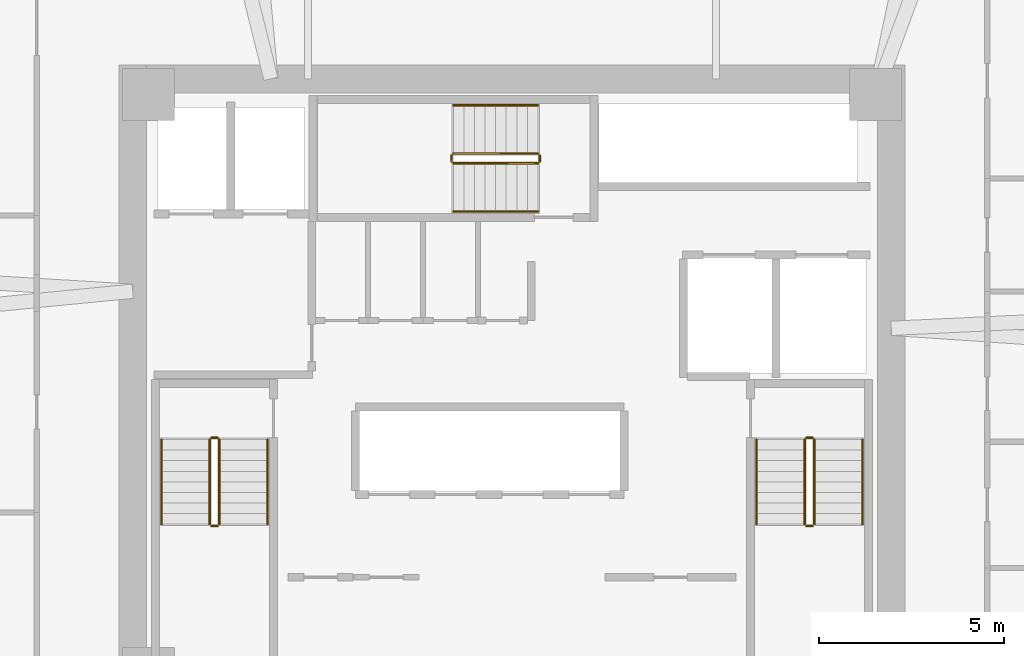
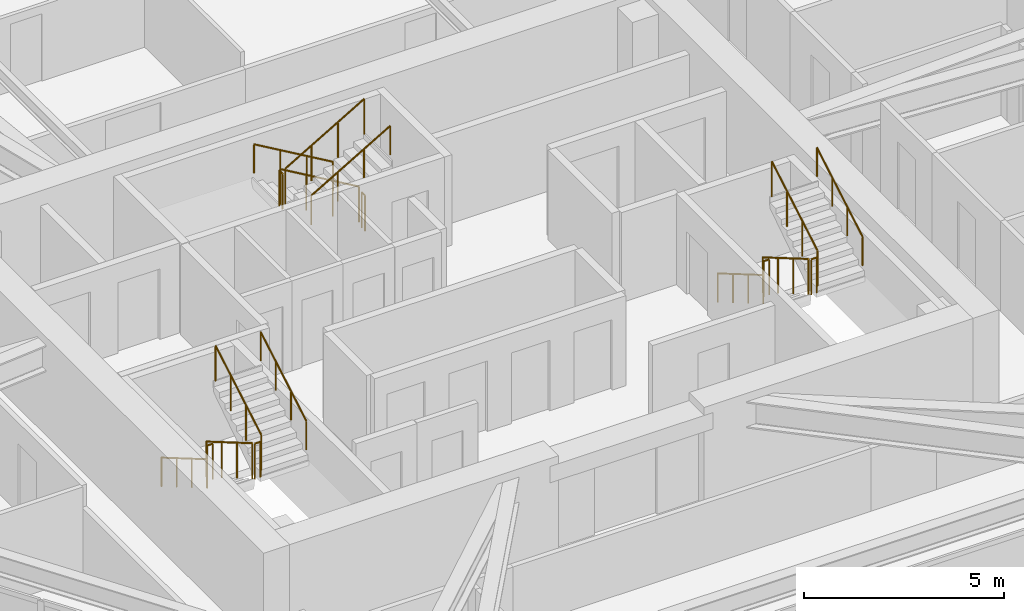
# One storey, part 17 of 17: 18 railings.
"""IFC4 building model written with IfcOpenShell, lengths in metres."""

from ifc_helpers import new_model, si_unit, direction, frame, origin, origin_2d, place, context, subcontext, project, spatial, circle, extrude, material, type_object, element, save


model = new_model("IFC4")

# Units and contexts
model_context = context("Model", 3, precision=1e-05, world=origin(), true_north=direction((0.0, 1.0)))
body_context = subcontext(model_context, "Body", "Model", "MODEL_VIEW")
ifc_project = project(units=[si_unit("LENGTHUNIT", "METRE"), si_unit("AREAUNIT", "SQUARE_METRE"), si_unit("VOLUMEUNIT", "CUBIC_METRE"), si_unit("PLANEANGLEUNIT", "RADIAN"), si_unit("MASSUNIT", "GRAM", prefix="KILO")], contexts=[model_context])

# Site, building, storey
site_placement = place(None, origin())
site = spatial("IfcSite", under=ifc_project, at=site_placement, CompositionType="ELEMENT")
building_placement = place(site_placement, origin())
building = spatial("IfcBuilding", under=site, at=building_placement, Name="Durnholm Broadcast Tower", CompositionType="ELEMENT")
storey_placement = place(building_placement, frame((0.0, 0.0, 137.10009765625)))
storey = spatial("IfcBuildingStorey", under=building, at=storey_placement, Name="L37", CompositionType="ELEMENT", Elevation=137.10009765625)

# Railings
ifc_material_1 = material(Name="Painted Tubular Steel Stair Guardrail", Category="steel")
railing_type_1 = type_object("IfcRailingType", Name="RAIL-ST-GRD", PredefinedType="GUARDRAIL", material=ifc_material_1)
railing_1_placement = place(storey_placement, frame((-8.14990234375, -1.5, 0.16650390625)))
element("IfcRailing", 1, at=railing_1_placement, inside=storey, type_object=railing_type_1, Name="L37 ST-1 stair guard 1", PredefinedType="GUARDRAIL", context=body_context, shape_type="SweptSolid", body=[
    extrude(circle(Radius=0.02392578125, at=origin_2d()), frame((0.0, 0.0, 1.076171875), z_axis=(0.0, -0.863205083432, 0.504853428173), x_axis=(1.0, 0.0, 0.0)), (0.0, 0.0, 1.0), 2.641357421875),
    extrude(circle(Radius=0.02099609375, at=origin_2d()), origin(), (0.0, 0.0, 1.0), 1.052001953125),
    extrude(circle(Radius=0.02099609375, at=origin_2d()), frame((0.0, -0.760009765625, 0.444580078125)), (0.0, 0.0, 1.0), 1.052001953125),
    extrude(circle(Radius=0.02099609375, at=origin_2d()), frame((0.0, -1.52001953125, 0.888916015625)), (0.0, 0.0, 1.0), 1.052001953125),
    extrude(circle(Radius=0.02099609375, at=origin_2d()), frame((0.0, -2.280029296875, 1.33349609375)), (0.0, 0.0, 1.0), 1.052001953125),
])
railing_2_placement = place(storey_placement, frame((-8.10009765625, -3.830078125, 1.5)))
element("IfcRailing", 2, at=railing_2_placement, inside=storey, type_object=railing_type_1, Name="L37 ST-1 stair guard 2", PredefinedType="GUARDRAIL", context=body_context, shape_type="SweptSolid", body=[
    extrude(circle(Radius=0.02392578125, at=origin_2d()), frame((0.0, 0.0, 1.076171875), z_axis=(1.0, 0.0, 0.0), x_axis=(0.0, 1.0, 0.0)), (0.0, 0.0, 1.0), 0.16015625),
    extrude(circle(Radius=0.02099609375, at=origin_2d()), origin(), (0.0, 0.0, 1.0), 1.052001953125),
    extrude(circle(Radius=0.02099609375, at=origin_2d()), frame((0.16015625, 0.0, 0.0)), (0.0, 0.0, 1.0), 1.052001953125),
])
railing_3_placement = place(storey_placement, frame((-7.889892578125, -3.780029296875, 1.66650390625)))
element("IfcRailing", 3, at=railing_3_placement, inside=storey, type_object=railing_type_1, Name="L37 ST-1 stair guard 3", PredefinedType="GUARDRAIL", context=body_context, shape_type="SweptSolid", body=[
    extrude(circle(Radius=0.02392578125, at=origin_2d()), frame((0.0, 0.0, 1.076171875), z_axis=(0.0, 0.863205083432, 0.504853428173), x_axis=(-1.0, 0.0, 0.0)), (0.0, 0.0, 1.0), 2.641357421875),
    extrude(circle(Radius=0.02099609375, at=origin_2d()), origin(), (0.0, 0.0, 1.0), 1.052001953125),
    extrude(circle(Radius=0.02099609375, at=origin_2d()), frame((0.0, 0.760009765625, 0.444580078125)), (0.0, 0.0, 1.0), 1.052001953125),
    extrude(circle(Radius=0.02099609375, at=origin_2d()), frame((0.0, 1.52001953125, 0.888916015625)), (0.0, 0.0, 1.0), 1.052001953125),
    extrude(circle(Radius=0.02099609375, at=origin_2d()), frame((0.0, 2.280029296875, 1.33349609375)), (0.0, 0.0, 1.0), 1.052001953125),
])
railing_4_placement = place(storey_placement, frame((-8.10009765625, -1.449951171875, 0.0)))
element("IfcRailing", 4, at=railing_4_placement, inside=storey, type_object=railing_type_1, Name="L37 ST-1 stair guard 4", PredefinedType="GUARDRAIL", context=body_context, shape_type="SweptSolid", body=[
    extrude(circle(Radius=0.02392578125, at=origin_2d()), frame((0.0, 0.0, 1.076171875), z_axis=(1.0, 0.0, 0.0), x_axis=(0.0, 1.0, 0.0)), (0.0, 0.0, 1.0), 0.16015625),
    extrude(circle(Radius=0.02099609375, at=origin_2d()), origin(), (0.0, 0.0, 1.0), 1.052001953125),
    extrude(circle(Radius=0.02099609375, at=origin_2d()), frame((0.16015625, 0.0, 0.0)), (0.0, 0.0, 1.0), 1.052001953125),
])
railing_5_placement = place(storey_placement, frame((7.889892578125, -1.5, 0.16650390625)))
element("IfcRailing", 5, at=railing_5_placement, inside=storey, type_object=railing_type_1, Name="L37 ST-2 stair guard 1", PredefinedType="GUARDRAIL", context=body_context, shape_type="SweptSolid", body=[
    extrude(circle(Radius=0.02392578125, at=origin_2d()), frame((0.0, 0.0, 1.076171875), z_axis=(0.0, -0.863205083432, 0.504853428173), x_axis=(1.0, 0.0, 0.0)), (0.0, 0.0, 1.0), 2.641357421875),
    extrude(circle(Radius=0.02099609375, at=origin_2d()), origin(), (0.0, 0.0, 1.0), 1.052001953125),
    extrude(circle(Radius=0.02099609375, at=origin_2d()), frame((0.0, -0.760009765625, 0.444580078125)), (0.0, 0.0, 1.0), 1.052001953125),
    extrude(circle(Radius=0.02099609375, at=origin_2d()), frame((0.0, -1.52001953125, 0.888916015625)), (0.0, 0.0, 1.0), 1.052001953125),
    extrude(circle(Radius=0.02099609375, at=origin_2d()), frame((0.0, -2.280029296875, 1.33349609375)), (0.0, 0.0, 1.0), 1.052001953125),
])
railing_6_placement = place(storey_placement, frame((7.93994140625, -3.830078125, 1.5)))
element("IfcRailing", 6, at=railing_6_placement, inside=storey, type_object=railing_type_1, Name="L37 ST-2 stair guard 2", PredefinedType="GUARDRAIL", context=body_context, shape_type="SweptSolid", body=[
    extrude(circle(Radius=0.02392578125, at=origin_2d()), frame((0.0, 0.0, 1.076171875), z_axis=(1.0, 0.0, 0.0), x_axis=(0.0, 1.0, 0.0)), (0.0, 0.0, 1.0), 0.16015625),
    extrude(circle(Radius=0.02099609375, at=origin_2d()), origin(), (0.0, 0.0, 1.0), 1.052001953125),
    extrude(circle(Radius=0.02099609375, at=origin_2d()), frame((0.16015625, 0.0, 0.0)), (0.0, 0.0, 1.0), 1.052001953125),
])
railing_7_placement = place(storey_placement, frame((8.14990234375, -3.780029296875, 1.66650390625)))
element("IfcRailing", 7, at=railing_7_placement, inside=storey, type_object=railing_type_1, Name="L37 ST-2 stair guard 3", PredefinedType="GUARDRAIL", context=body_context, shape_type="SweptSolid", body=[
    extrude(circle(Radius=0.02392578125, at=origin_2d()), frame((0.0, 0.0, 1.076171875), z_axis=(0.0, 0.863205083432, 0.504853428173), x_axis=(-1.0, 0.0, 0.0)), (0.0, 0.0, 1.0), 2.641357421875),
    extrude(circle(Radius=0.02099609375, at=origin_2d()), origin(), (0.0, 0.0, 1.0), 1.052001953125),
    extrude(circle(Radius=0.02099609375, at=origin_2d()), frame((0.0, 0.760009765625, 0.444580078125)), (0.0, 0.0, 1.0), 1.052001953125),
    extrude(circle(Radius=0.02099609375, at=origin_2d()), frame((0.0, 1.52001953125, 0.888916015625)), (0.0, 0.0, 1.0), 1.052001953125),
    extrude(circle(Radius=0.02099609375, at=origin_2d()), frame((0.0, 2.280029296875, 1.33349609375)), (0.0, 0.0, 1.0), 1.052001953125),
])
railing_8_placement = place(storey_placement, frame((7.93994140625, -1.449951171875, 0.0)))
element("IfcRailing", 8, at=railing_8_placement, inside=storey, type_object=railing_type_1, Name="L37 ST-2 stair guard 4", PredefinedType="GUARDRAIL", context=body_context, shape_type="SweptSolid", body=[
    extrude(circle(Radius=0.02392578125, at=origin_2d()), frame((0.0, 0.0, 1.076171875), z_axis=(1.0, 0.0, 0.0), x_axis=(0.0, 1.0, 0.0)), (0.0, 0.0, 1.0), 0.16015625),
    extrude(circle(Radius=0.02099609375, at=origin_2d()), origin(), (0.0, 0.0, 1.0), 1.052001953125),
    extrude(circle(Radius=0.02099609375, at=origin_2d()), frame((0.16015625, 0.0, 0.0)), (0.0, 0.0, 1.0), 1.052001953125),
])
railing_9_placement = place(storey_placement, frame((0.699951171875, 6.2099609375, 0.16650390625)))
element("IfcRailing", 9, at=railing_9_placement, inside=storey, type_object=railing_type_1, Name="L37 ST-3 stair guard 1", PredefinedType="GUARDRAIL", context=body_context, shape_type="SweptSolid", body=[
    extrude(circle(Radius=0.02392578125, at=origin_2d()), frame((0.0, 0.0, 1.076171875), z_axis=(-0.863205083432, 0.0, 0.504853428173), x_axis=(0.0, -1.0, 0.0)), (0.0, 0.0, 1.0), 2.641357421875),
    extrude(circle(Radius=0.02099609375, at=origin_2d()), origin(), (0.0, 0.0, 1.0), 1.052001953125),
    extrude(circle(Radius=0.02099609375, at=origin_2d()), frame((-0.760009765625, 0.0, 0.444580078125)), (0.0, 0.0, 1.0), 1.052001953125),
    extrude(circle(Radius=0.02099609375, at=origin_2d()), frame((-1.52001953125, 0.0, 0.888916015625)), (0.0, 0.0, 1.0), 1.052001953125),
    extrude(circle(Radius=0.02099609375, at=origin_2d()), frame((-2.280029296875, 0.0, 1.33349609375)), (0.0, 0.0, 1.0), 1.052001953125),
])
railing_10_placement = place(storey_placement, frame((-1.6298828125, 6.159912109375, 1.5)))
element("IfcRailing", 10, at=railing_10_placement, inside=storey, type_object=railing_type_1, Name="L37 ST-3 stair guard 2", PredefinedType="GUARDRAIL", context=body_context, shape_type="SweptSolid", body=[
    extrude(circle(Radius=0.02392578125, at=origin_2d()), frame((0.0, 0.0, 1.076171875), z_axis=(0.0, -1.0, 0.0), x_axis=(1.0, 0.0, 0.0)), (0.0, 0.0, 1.0), 0.159912109375),
    extrude(circle(Radius=0.02099609375, at=origin_2d()), origin(), (0.0, 0.0, 1.0), 1.052001953125),
    extrude(circle(Radius=0.02099609375, at=origin_2d()), frame((0.0, -0.159912109375, 0.0)), (0.0, 0.0, 1.0), 1.052001953125),
])
railing_11_placement = place(storey_placement, frame((-1.580078125, 5.949951171875, 1.66650390625)))
element("IfcRailing", 11, at=railing_11_placement, inside=storey, type_object=railing_type_1, Name="L37 ST-3 stair guard 3", PredefinedType="GUARDRAIL", context=body_context, shape_type="SweptSolid", body=[
    extrude(circle(Radius=0.02392578125, at=origin_2d()), frame((0.0, 0.0, 1.076171875), z_axis=(0.863205083432, 0.0, 0.504853428173), x_axis=(0.0, 1.0, 0.0)), (0.0, 0.0, 1.0), 2.641357421875),
    extrude(circle(Radius=0.02099609375, at=origin_2d()), origin(), (0.0, 0.0, 1.0), 1.052001953125),
    extrude(circle(Radius=0.02099609375, at=origin_2d()), frame((0.760009765625, 0.0, 0.444580078125)), (0.0, 0.0, 1.0), 1.052001953125),
    extrude(circle(Radius=0.02099609375, at=origin_2d()), frame((1.52001953125, 0.0, 0.888916015625)), (0.0, 0.0, 1.0), 1.052001953125),
    extrude(circle(Radius=0.02099609375, at=origin_2d()), frame((2.280029296875, 0.0, 1.33349609375)), (0.0, 0.0, 1.0), 1.052001953125),
])
railing_12_placement = place(storey_placement, frame((0.75, 6.159912109375, 0.0)))
element("IfcRailing", 12, at=railing_12_placement, inside=storey, type_object=railing_type_1, Name="L37 ST-3 stair guard 4", PredefinedType="GUARDRAIL", context=body_context, shape_type="SweptSolid", body=[
    extrude(circle(Radius=0.02392578125, at=origin_2d()), frame((0.0, 0.0, 1.076171875), z_axis=(0.0, -1.0, 0.0), x_axis=(1.0, 0.0, 0.0)), (0.0, 0.0, 1.0), 0.159912109375),
    extrude(circle(Radius=0.02099609375, at=origin_2d()), origin(), (0.0, 0.0, 1.0), 1.052001953125),
    extrude(circle(Radius=0.02099609375, at=origin_2d()), frame((0.0, -0.159912109375, 0.0)), (0.0, 0.0, 1.0), 1.052001953125),
])
ifc_material_2 = material(Name="Brushed Stainless Steel Handrail", Category="steel")
railing_type_2 = type_object("IfcRailingType", Name="RAIL-ST-HND", PredefinedType="HANDRAIL", material=ifc_material_2)
railing_13_placement = place(storey_placement, frame((-9.449951171875, -1.5, 0.333251953125)))
element("IfcRailing", 13, at=railing_13_placement, inside=storey, type_object=railing_type_2, Name="L37 ST-1 stair handrail 1", PredefinedType="HANDRAIL", context=body_context, shape_type="SweptSolid", body=[
    extrude(circle(Radius=0.02392578125, at=origin_2d()), frame((0.0, 0.0, 0.8759765625), z_axis=(0.0, -0.863245362884, 0.504784551527), x_axis=(1.0, 0.0, 0.0)), (0.0, 0.0, 1.0), 2.64111328125),
    extrude(circle(Radius=0.02099609375, at=origin_2d()), origin(), (0.0, 0.0, 1.0), 0.851806640625),
    extrude(circle(Radius=0.02099609375, at=origin_2d()), frame((0.0, -0.760009765625, 0.4443359375)), (0.0, 0.0, 1.0), 0.851806640625),
    extrude(circle(Radius=0.02099609375, at=origin_2d()), frame((0.0, -1.52001953125, 0.888916015625)), (0.0, 0.0, 1.0), 0.851806640625),
    extrude(circle(Radius=0.02099609375, at=origin_2d()), frame((0.0, -2.280029296875, 1.333251953125)), (0.0, 0.0, 1.0), 0.851806640625),
])
railing_14_placement = place(storey_placement, frame((-6.590087890625, -3.780029296875, 1.833251953125)))
element("IfcRailing", 14, at=railing_14_placement, inside=storey, type_object=railing_type_2, Name="L37 ST-1 stair handrail 2", PredefinedType="HANDRAIL", context=body_context, shape_type="SweptSolid", body=[
    extrude(circle(Radius=0.02392578125, at=origin_2d()), frame((0.0, 0.0, 0.8759765625), z_axis=(0.0, 0.863245362884, 0.504784551527), x_axis=(-1.0, 0.0, 0.0)), (0.0, 0.0, 1.0), 2.64111328125),
    extrude(circle(Radius=0.02099609375, at=origin_2d()), origin(), (0.0, 0.0, 1.0), 0.851806640625),
    extrude(circle(Radius=0.02099609375, at=origin_2d()), frame((0.0, 0.760009765625, 0.4443359375)), (0.0, 0.0, 1.0), 0.851806640625),
    extrude(circle(Radius=0.02099609375, at=origin_2d()), frame((0.0, 1.52001953125, 0.888916015625)), (0.0, 0.0, 1.0), 0.851806640625),
    extrude(circle(Radius=0.02099609375, at=origin_2d()), frame((0.0, 2.280029296875, 1.333251953125)), (0.0, 0.0, 1.0), 0.851806640625),
])
railing_15_placement = place(storey_placement, frame((6.590087890625, -1.5, 0.333251953125)))
element("IfcRailing", 15, at=railing_15_placement, inside=storey, type_object=railing_type_2, Name="L37 ST-2 stair handrail 1", PredefinedType="HANDRAIL", context=body_context, shape_type="SweptSolid", body=[
    extrude(circle(Radius=0.02392578125, at=origin_2d()), frame((0.0, 0.0, 0.8759765625), z_axis=(0.0, -0.863245362884, 0.504784551527), x_axis=(1.0, 0.0, 0.0)), (0.0, 0.0, 1.0), 2.64111328125),
    extrude(circle(Radius=0.02099609375, at=origin_2d()), origin(), (0.0, 0.0, 1.0), 0.851806640625),
    extrude(circle(Radius=0.02099609375, at=origin_2d()), frame((0.0, -0.760009765625, 0.4443359375)), (0.0, 0.0, 1.0), 0.851806640625),
    extrude(circle(Radius=0.02099609375, at=origin_2d()), frame((0.0, -1.52001953125, 0.888916015625)), (0.0, 0.0, 1.0), 0.851806640625),
    extrude(circle(Radius=0.02099609375, at=origin_2d()), frame((0.0, -2.280029296875, 1.333251953125)), (0.0, 0.0, 1.0), 0.851806640625),
])
railing_16_placement = place(storey_placement, frame((9.449951171875, -3.780029296875, 1.833251953125)))
element("IfcRailing", 16, at=railing_16_placement, inside=storey, type_object=railing_type_2, Name="L37 ST-2 stair handrail 2", PredefinedType="HANDRAIL", context=body_context, shape_type="SweptSolid", body=[
    extrude(circle(Radius=0.02392578125, at=origin_2d()), frame((0.0, 0.0, 0.8759765625), z_axis=(0.0, 0.863245362884, 0.504784551527), x_axis=(-1.0, 0.0, 0.0)), (0.0, 0.0, 1.0), 2.64111328125),
    extrude(circle(Radius=0.02099609375, at=origin_2d()), origin(), (0.0, 0.0, 1.0), 0.851806640625),
    extrude(circle(Radius=0.02099609375, at=origin_2d()), frame((0.0, 0.760009765625, 0.4443359375)), (0.0, 0.0, 1.0), 0.851806640625),
    extrude(circle(Radius=0.02099609375, at=origin_2d()), frame((0.0, 1.52001953125, 0.888916015625)), (0.0, 0.0, 1.0), 0.851806640625),
    extrude(circle(Radius=0.02099609375, at=origin_2d()), frame((0.0, 2.280029296875, 1.333251953125)), (0.0, 0.0, 1.0), 0.851806640625),
])
railing_17_placement = place(storey_placement, frame((0.699951171875, 7.510009765625, 0.333251953125)))
element("IfcRailing", 17, at=railing_17_placement, inside=storey, type_object=railing_type_2, Name="L37 ST-3 stair handrail 1", PredefinedType="HANDRAIL", context=body_context, shape_type="SweptSolid", body=[
    extrude(circle(Radius=0.02392578125, at=origin_2d()), frame((0.0, 0.0, 0.8759765625), z_axis=(-0.863245362884, 0.0, 0.504784551527), x_axis=(0.0, -1.0, 0.0)), (0.0, 0.0, 1.0), 2.64111328125),
    extrude(circle(Radius=0.02099609375, at=origin_2d()), origin(), (0.0, 0.0, 1.0), 0.851806640625),
    extrude(circle(Radius=0.02099609375, at=origin_2d()), frame((-0.760009765625, 0.0, 0.4443359375)), (0.0, 0.0, 1.0), 0.851806640625),
    extrude(circle(Radius=0.02099609375, at=origin_2d()), frame((-1.52001953125, 0.0, 0.888916015625)), (0.0, 0.0, 1.0), 0.851806640625),
    extrude(circle(Radius=0.02099609375, at=origin_2d()), frame((-2.280029296875, 0.0, 1.333251953125)), (0.0, 0.0, 1.0), 0.851806640625),
])
railing_18_placement = place(storey_placement, frame((-1.580078125, 4.64990234375, 1.833251953125)))
element("IfcRailing", 18, at=railing_18_placement, inside=storey, type_object=railing_type_2, Name="L37 ST-3 stair handrail 2", PredefinedType="HANDRAIL", context=body_context, shape_type="SweptSolid", body=[
    extrude(circle(Radius=0.02392578125, at=origin_2d()), frame((0.0, 0.0, 0.8759765625), z_axis=(0.863245362884, 0.0, 0.504784551527), x_axis=(0.0, 1.0, 0.0)), (0.0, 0.0, 1.0), 2.64111328125),
    extrude(circle(Radius=0.02099609375, at=origin_2d()), origin(), (0.0, 0.0, 1.0), 0.851806640625),
    extrude(circle(Radius=0.02099609375, at=origin_2d()), frame((0.760009765625, 0.0, 0.4443359375)), (0.0, 0.0, 1.0), 0.851806640625),
    extrude(circle(Radius=0.02099609375, at=origin_2d()), frame((1.52001953125, 0.0, 0.888916015625)), (0.0, 0.0, 1.0), 0.851806640625),
    extrude(circle(Radius=0.02099609375, at=origin_2d()), frame((2.280029296875, 0.0, 1.333251953125)), (0.0, 0.0, 1.0), 0.851806640625),
])

save(model, "model.ifc")
